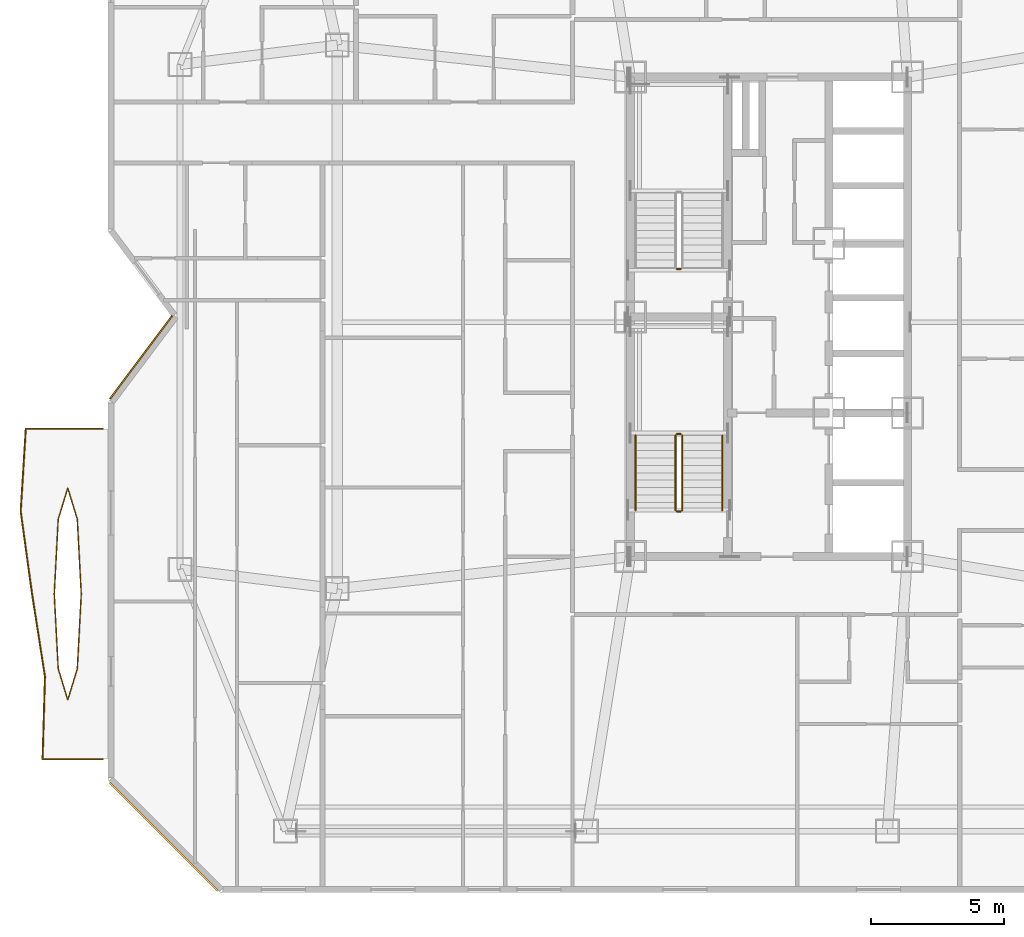
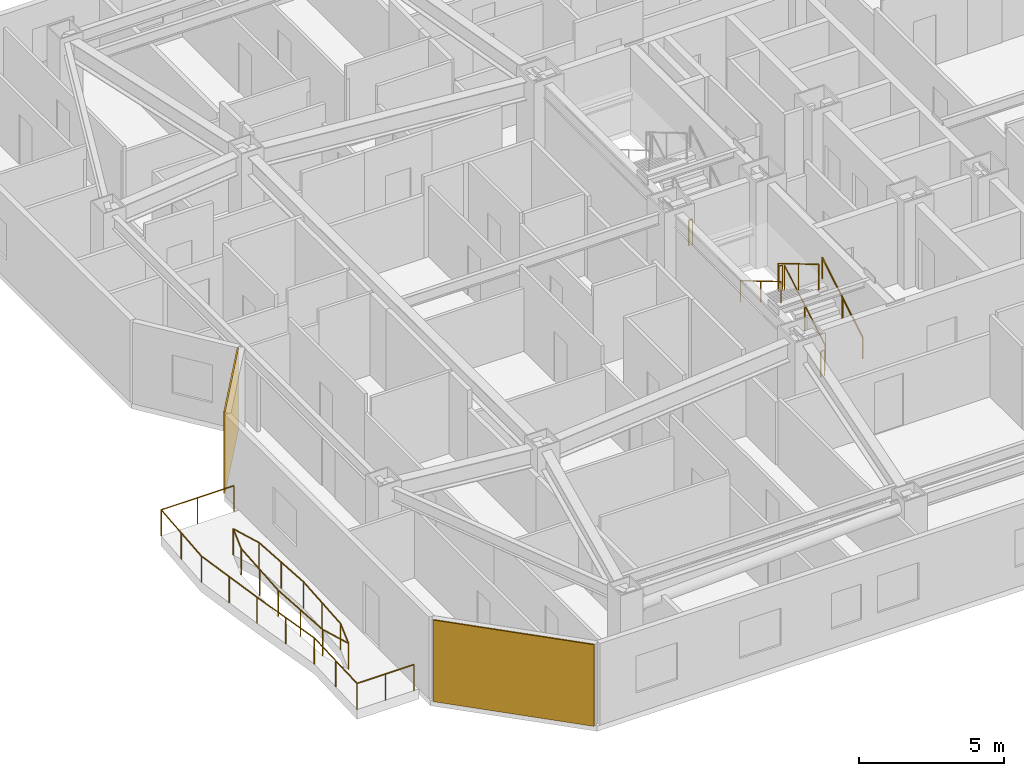
# One storey, part 14 of 16: 11 railings, 2 coverings.
"""IFC4 building model written with IfcOpenShell, lengths in metres."""

from ifc_helpers import new_model, si_unit, direction, frame, origin, origin_2d, place, context, subcontext, project, spatial, rectangle, circle, extrude, material, layer, layer_set, type_object, element, save


model = new_model("IFC4")

# Units and contexts
model_context = context("Model", 3, precision=1e-05, world=origin(), true_north=direction((0.0, 1.0)))
body_context = subcontext(model_context, "Body", "Model", "MODEL_VIEW")
ifc_project = project(units=[si_unit("LENGTHUNIT", "METRE"), si_unit("AREAUNIT", "SQUARE_METRE"), si_unit("VOLUMEUNIT", "CUBIC_METRE"), si_unit("PLANEANGLEUNIT", "RADIAN"), si_unit("MASSUNIT", "GRAM", prefix="KILO")], contexts=[model_context])

# Site, building, storey
site_placement = place(None, origin())
site = spatial("IfcSite", under=ifc_project, at=site_placement, CompositionType="ELEMENT")
building_placement = place(site_placement, origin())
building = spatial("IfcBuilding", under=site, at=building_placement, Name="Khamvora Tower", CompositionType="ELEMENT")
storey_placement = place(building_placement, frame((0.0, 0.0, 134.75)))
storey = spatial("IfcBuildingStorey", under=building, at=storey_placement, Name="L34", CompositionType="ELEMENT", Elevation=134.75)

# Coverings
ifc_material_1 = material(Name="Anodised Bronze Aluminium Spandrel Panel", Category="aluminium")
ifc_layer = layer(ifc_material_1, 0.054931640625)
ifc_layer_set = layer_set([ifc_layer], Name="Anodised Bronze Aluminium Spandrel Panel")
covering_type = type_object("IfcCoveringType", Name="COV-CLD-BRZ", PredefinedType="CLADDING", material=ifc_layer_set)
covering_1_placement = place(storey_placement, frame((11.487060546875, 8.487060546875, 0.0), z_axis=(0.0, 0.0, 1.0), x_axis=(-0.707106781187, 0.707106781187, 0.0)))
element("IfcCovering", 1, at=covering_1_placement, inside=storey, type_object=covering_type, Name="L34 chamfer rainscreen cladding 01.1", PredefinedType="CLADDING", context=body_context, shape_type="SweptSolid", body=[
    extrude(rectangle(XDim=5.7490234375, YDim=0.054931640625, at=origin_2d()), origin(), (0.0, 0.0, 1.0), 3.429931640625),
])
covering_2_placement = place(storey_placement, frame((10.638916015625, 26.48095703125, 0.0), z_axis=(0.0, 0.0, 1.0), x_axis=(0.600000000002, 0.799999999998, 0.0)))
element("IfcCovering", 2, at=covering_2_placement, inside=storey, type_object=covering_type, Name="L34 chamfer rainscreen cladding 03.1", PredefinedType="CLADDING", context=body_context, shape_type="SweptSolid", body=[
    extrude(rectangle(XDim=3.889892578125, YDim=0.054931640625, at=origin_2d()), origin(), (0.0, 0.0, 1.0), 3.429931640625),
])

# Railings
ifc_material_2 = material(Name="Stainless Steel 316 and Laminated Glass", Category="steel")
railing_type_1 = type_object("IfcRailingType", Name="RAL-GAL-1120", PredefinedType="GUARDRAIL", material=ifc_material_2)
railing_1_placement = place(storey_placement, frame((9.199951171875, 11.39990234375, 0.0)))
element("IfcRailing", 3, at=railing_1_placement, inside=storey, type_object=railing_type_1, Name="L34 lens gallery south perimeter guardrail WL1", PredefinedType="GUARDRAIL", context=body_context, shape_type="SweptSolid", body=[
    extrude(circle(Radius=0.02392578125, at=origin_2d()), frame((0.0, 0.0, 1.09619140625), z_axis=(-1.0, 0.0, 0.0), x_axis=(0.0, -1.0, 0.0)), (0.0, 0.0, 1.0), 2.262939453125),
    extrude(circle(Radius=0.02392578125, at=origin_2d()), frame((-2.262939453125, 0.0, 1.09619140625), z_axis=(0.029047432246, 0.999578034312, 0.0), x_axis=(-0.999578034312, 0.029047432246, 0.0)), (0.0, 0.0, 1.0), 3.101318359375),
    extrude(circle(Radius=0.02392578125, at=origin_2d()), frame((-2.1728515625, 3.10009765625, 1.09619140625), z_axis=(-0.154599983709, 0.987977148034, 0.0), x_axis=(-0.987977148034, -0.154599983709, 0.0)), (0.0, 0.0, 1.0), 3.137939453125),
    extrude(circle(Radius=0.02099609375, at=origin_2d()), origin(), (0.0, 0.0, 1.0), 1.072021484375),
    extrude(circle(Radius=0.02099609375, at=origin_2d()), frame((-1.13134765625, 0.0, 0.0)), (0.0, 0.0, 1.0), 1.072021484375),
    extrude(circle(Radius=0.02099609375, at=origin_2d()), frame((-2.262939453125, 0.0, 0.0)), (0.0, 0.0, 1.0), 1.072021484375),
    extrude(circle(Radius=0.02099609375, at=origin_2d()), frame((-2.2177734375, 1.550048828125, 0.0)), (0.0, 0.0, 1.0), 1.072021484375),
    extrude(circle(Radius=0.02099609375, at=origin_2d()), frame((-2.1728515625, 3.10009765625, 0.0)), (0.0, 0.0, 1.0), 1.072021484375),
    extrude(circle(Radius=0.02099609375, at=origin_2d()), frame((-2.41552734375, 4.650146484375, 0.0)), (0.0, 0.0, 1.0), 1.072021484375),
    extrude(circle(Radius=0.02099609375, at=origin_2d()), frame((-2.657958984375, 6.2001953125, 0.0)), (0.0, 0.0, 1.0), 1.072021484375),
])
railing_2_placement = place(storey_placement, frame((6.5419921875, 17.60009765625, 0.0)))
element("IfcRailing", 4, at=railing_2_placement, inside=storey, type_object=railing_type_1, Name="L34 lens gallery north perimeter guardrail WL1", PredefinedType="GUARDRAIL", context=body_context, shape_type="SweptSolid", body=[
    extrude(circle(Radius=0.02392578125, at=origin_2d()), frame((0.0, 0.0, 1.09619140625), z_axis=(-0.136154206504, 0.990687656152, 0.0), x_axis=(-0.990687656152, -0.136154206504, 0.0)), (0.0, 0.0, 1.0), 3.12890625),
    extrude(circle(Radius=0.02392578125, at=origin_2d()), frame((-0.426025390625, 3.099853515625, 1.09619140625), z_axis=(0.061468048386, 0.998109051671, 0.0), x_axis=(-0.998109051671, 0.061468048386, 0.0)), (0.0, 0.0, 1.0), 3.10595703125),
    extrude(circle(Radius=0.02392578125, at=origin_2d()), frame((-0.235107421875, 6.199951171875, 1.09619140625), z_axis=(1.0, 0.0, 0.0), x_axis=(0.0, 1.0, 0.0)), (0.0, 0.0, 1.0), 2.89306640625),
    extrude(circle(Radius=0.02099609375, at=origin_2d()), origin(), (0.0, 0.0, 1.0), 1.072021484375),
    extrude(circle(Radius=0.02099609375, at=origin_2d()), frame((-0.212890625, 1.5498046875, 0.0)), (0.0, 0.0, 1.0), 1.072021484375),
    extrude(circle(Radius=0.02099609375, at=origin_2d()), frame((-0.426025390625, 3.099853515625, 0.0)), (0.0, 0.0, 1.0), 1.072021484375),
    extrude(circle(Radius=0.02099609375, at=origin_2d()), frame((-0.33056640625, 4.64990234375, 0.0)), (0.0, 0.0, 1.0), 1.072021484375),
    extrude(circle(Radius=0.02099609375, at=origin_2d()), frame((-0.235107421875, 6.199951171875, 0.0)), (0.0, 0.0, 1.0), 1.072021484375),
    extrude(circle(Radius=0.02099609375, at=origin_2d()), frame((1.21142578125, 6.199951171875, 0.0)), (0.0, 0.0, 1.0), 1.072021484375),
    extrude(circle(Radius=0.02099609375, at=origin_2d()), frame((2.657958984375, 6.199951171875, 0.0)), (0.0, 0.0, 1.0), 1.072021484375),
])
railing_3_placement = place(storey_placement, frame((8.388916015625, 17.60009765625, 0.0)))
element("IfcRailing", 5, at=railing_3_placement, inside=storey, type_object=railing_type_1, Name="L34 lens gallery void guardrail WL1A", PredefinedType="GUARDRAIL", context=body_context, shape_type="SweptSolid", body=[
    extrude(circle(Radius=0.02392578125, at=origin_2d()), frame((0.0, 0.0, 1.09619140625), z_axis=(-0.052654602562, 0.998612784231, 0.0), x_axis=(-0.998612784231, -0.052654602562, 0.0)), (0.0, 0.0, 1.0), 2.809814453125),
    extrude(circle(Radius=0.02392578125, at=origin_2d()), frame((-0.14794921875, 2.805908203125, 1.09619140625), z_axis=(-0.292871691974, 0.956151751575, 0.0), x_axis=(-0.956151751575, -0.292871691974, 0.0)), (0.0, 0.0, 1.0), 1.21533203125),
    extrude(circle(Radius=0.02392578125, at=origin_2d()), frame((-0.50390625, 3.968017578125, 1.09619140625), z_axis=(-0.292871691974, -0.956151751575, 0.0), x_axis=(0.956151751575, -0.292871691974, 0.0)), (0.0, 0.0, 1.0), 1.21533203125),
    extrude(circle(Radius=0.02392578125, at=origin_2d()), frame((-0.85986328125, 2.805908203125, 1.09619140625), z_axis=(-0.052654602562, -0.998612784231, 0.0), x_axis=(0.998612784231, -0.052654602562, 0.0)), (0.0, 0.0, 1.0), 2.809814453125),
    extrude(circle(Radius=0.02099609375, at=origin_2d()), origin(), (0.0, 0.0, 1.0), 1.072021484375),
    extrude(circle(Radius=0.02099609375, at=origin_2d()), frame((-0.073974609375, 1.40283203125, 0.0)), (0.0, 0.0, 1.0), 1.072021484375),
    extrude(circle(Radius=0.02099609375, at=origin_2d()), frame((-0.14794921875, 2.805908203125, 0.0)), (0.0, 0.0, 1.0), 1.072021484375),
    extrude(circle(Radius=0.02099609375, at=origin_2d()), frame((-0.50390625, 3.968017578125, 0.0)), (0.0, 0.0, 1.0), 1.072021484375),
    extrude(circle(Radius=0.02099609375, at=origin_2d()), frame((-0.85986328125, 2.805908203125, 0.0)), (0.0, 0.0, 1.0), 1.072021484375),
    extrude(circle(Radius=0.02099609375, at=origin_2d()), frame((-0.933837890625, 1.40283203125, 0.0)), (0.0, 0.0, 1.0), 1.072021484375),
    extrude(circle(Radius=0.02099609375, at=origin_2d()), frame((-1.0078125, 0.0, 0.0)), (0.0, 0.0, 1.0), 1.072021484375),
])
railing_4_placement = place(storey_placement, frame((7.381103515625, 17.60009765625, 0.0)))
element("IfcRailing", 6, at=railing_4_placement, inside=storey, type_object=railing_type_1, Name="L34 lens gallery void guardrail WL1B", PredefinedType="GUARDRAIL", context=body_context, shape_type="SweptSolid", body=[
    extrude(circle(Radius=0.02392578125, at=origin_2d()), frame((0.0, 0.0, 1.09619140625), z_axis=(0.05265003421, -0.998613025099, 0.0), x_axis=(0.998613025099, 0.05265003421, 0.0)), (0.0, 0.0, 1.0), 2.81005859375),
    extrude(circle(Radius=0.02392578125, at=origin_2d()), frame((0.14794921875, -2.80615234375, 1.09619140625), z_axis=(0.292927952476, -0.956134517031, 0.0), x_axis=(0.956134517031, 0.292927952476, 0.0)), (0.0, 0.0, 1.0), 1.215087890625),
    extrude(circle(Radius=0.02392578125, at=origin_2d()), frame((0.50390625, -3.968017578125, 1.09619140625), z_axis=(0.292927952476, 0.956134517031, 0.0), x_axis=(-0.956134517031, 0.292927952476, 0.0)), (0.0, 0.0, 1.0), 1.215087890625),
    extrude(circle(Radius=0.02392578125, at=origin_2d()), frame((0.85986328125, -2.80615234375, 1.09619140625), z_axis=(0.05265003421, 0.998613025099, 0.0), x_axis=(-0.998613025099, 0.05265003421, 0.0)), (0.0, 0.0, 1.0), 2.81005859375),
    extrude(circle(Radius=0.02099609375, at=origin_2d()), origin(), (0.0, 0.0, 1.0), 1.072021484375),
    extrude(circle(Radius=0.02099609375, at=origin_2d()), frame((0.073974609375, -1.403076171875, 0.0)), (0.0, 0.0, 1.0), 1.072021484375),
    extrude(circle(Radius=0.02099609375, at=origin_2d()), frame((0.14794921875, -2.80615234375, 0.0)), (0.0, 0.0, 1.0), 1.072021484375),
    extrude(circle(Radius=0.02099609375, at=origin_2d()), frame((0.50390625, -3.968017578125, 0.0)), (0.0, 0.0, 1.0), 1.072021484375),
    extrude(circle(Radius=0.02099609375, at=origin_2d()), frame((0.85986328125, -2.80615234375, 0.0)), (0.0, 0.0, 1.0), 1.072021484375),
    extrude(circle(Radius=0.02099609375, at=origin_2d()), frame((0.933837890625, -1.403076171875, 0.0)), (0.0, 0.0, 1.0), 1.072021484375),
    extrude(circle(Radius=0.02099609375, at=origin_2d()), frame((1.0078125, 0.0, 0.0)), (0.0, 0.0, 1.0), 1.072021484375),
])
ifc_material_3 = material(Name="Brushed Stainless Steel 316", Category="steel")
railing_type_2 = type_object("IfcRailingType", Name="RAL-HDR-920", PredefinedType="HANDRAIL", material=ifc_material_3)
railing_5_placement = place(storey_placement, frame((32.449951171875, 20.75, 0.166015625)))
element("IfcRailing", 7, at=railing_5_placement, inside=storey, type_object=railing_type_2, Name="L34 ST-01 stair handrail 1", PredefinedType="HANDRAIL", context=body_context, shape_type="SweptSolid", body=[
    extrude(circle(Radius=0.02392578125, at=origin_2d()), frame((0.0, 0.0, 0.8759765625), z_axis=(0.0, 0.860339051648, 0.50972219513), x_axis=(-1.0, 0.0, 0.0)), (0.0, 0.0, 1.0), 3.254638671875),
    extrude(circle(Radius=0.02099609375, at=origin_2d()), origin(), (0.0, 0.0, 1.0), 0.851806640625),
    extrude(circle(Radius=0.02099609375, at=origin_2d()), frame((0.0, 1.39990234375, 0.82958984375)), (0.0, 0.0, 1.0), 0.851806640625),
    extrude(circle(Radius=0.02099609375, at=origin_2d()), frame((0.0, 2.800048828125, 1.658935546875)), (0.0, 0.0, 1.0), 0.851806640625),
])
railing_6_placement = place(storey_placement, frame((29.199951171875, 23.550048828125, 1.990966796875)))
element("IfcRailing", 8, at=railing_6_placement, inside=storey, type_object=railing_type_2, Name="L34 ST-01 stair handrail 2", PredefinedType="HANDRAIL", context=body_context, shape_type="SweptSolid", body=[
    extrude(circle(Radius=0.02392578125, at=origin_2d()), frame((0.0, 0.0, 0.8759765625), z_axis=(0.0, -0.860339051648, 0.50972219513), x_axis=(1.0, 0.0, 0.0)), (0.0, 0.0, 1.0), 3.254638671875),
    extrude(circle(Radius=0.02099609375, at=origin_2d()), origin(), (0.0, 0.0, 1.0), 0.851806640625),
    extrude(circle(Radius=0.02099609375, at=origin_2d()), frame((0.0, -1.39990234375, 0.82958984375)), (0.0, 0.0, 1.0), 0.851806640625),
    extrude(circle(Radius=0.02099609375, at=origin_2d()), frame((0.0, -2.800048828125, 1.658935546875)), (0.0, 0.0, 1.0), 0.851806640625),
])
ifc_material_4 = material(Name="Stainless Steel 316", Category="steel")
railing_type_3 = type_object("IfcRailingType", Name="RAL-STG-1100", PredefinedType="GUARDRAIL", material=ifc_material_4)
railing_7_placement = place(storey_placement, frame((30.949951171875, 20.75, 0.166015625)))
element("IfcRailing", 9, at=railing_7_placement, inside=storey, type_object=railing_type_3, Name="L34 ST-01 stair guard 1", PredefinedType="GUARDRAIL", context=body_context, shape_type="SweptSolid", body=[
    extrude(circle(Radius=0.02392578125, at=origin_2d()), frame((0.0, 0.0, 1.076171875), z_axis=(0.0, 0.860339051648, 0.50972219513), x_axis=(-1.0, 0.0, 0.0)), (0.0, 0.0, 1.0), 3.254638671875),
    extrude(circle(Radius=0.02099609375, at=origin_2d()), origin(), (0.0, 0.0, 1.0), 1.052001953125),
    extrude(circle(Radius=0.02099609375, at=origin_2d()), frame((0.0, 1.39990234375, 0.82958984375)), (0.0, 0.0, 1.0), 1.052001953125),
    extrude(circle(Radius=0.02099609375, at=origin_2d()), frame((0.0, 2.800048828125, 1.658935546875)), (0.0, 0.0, 1.0), 1.052001953125),
])
railing_8_placement = place(storey_placement, frame((30.89990234375, 23.60009765625, 1.824951171875)))
element("IfcRailing", 10, at=railing_8_placement, inside=storey, type_object=railing_type_3, Name="L34 ST-01 stair guard 2", PredefinedType="GUARDRAIL", context=body_context, shape_type="SweptSolid", body=[
    extrude(circle(Radius=0.02392578125, at=origin_2d()), frame((0.0, 0.0, 1.076171875), z_axis=(-1.0, 0.0, 0.0), x_axis=(0.0, -1.0, 0.0)), (0.0, 0.0, 1.0), 0.14990234375),
    extrude(circle(Radius=0.02099609375, at=origin_2d()), origin(), (0.0, 0.0, 1.0), 1.052001953125),
    extrude(circle(Radius=0.02099609375, at=origin_2d()), frame((-0.14990234375, 0.0, 0.0)), (0.0, 0.0, 1.0), 1.052001953125),
])
railing_9_placement = place(storey_placement, frame((30.699951171875, 23.550048828125, 1.990966796875)))
element("IfcRailing", 11, at=railing_9_placement, inside=storey, type_object=railing_type_3, Name="L34 ST-01 stair guard 3", PredefinedType="GUARDRAIL", context=body_context, shape_type="SweptSolid", body=[
    extrude(circle(Radius=0.02392578125, at=origin_2d()), frame((0.0, 0.0, 1.076171875), z_axis=(0.0, -0.860339051648, 0.50972219513), x_axis=(1.0, 0.0, 0.0)), (0.0, 0.0, 1.0), 3.254638671875),
    extrude(circle(Radius=0.02099609375, at=origin_2d()), origin(), (0.0, 0.0, 1.0), 1.052001953125),
    extrude(circle(Radius=0.02099609375, at=origin_2d()), frame((0.0, -1.39990234375, 0.82958984375)), (0.0, 0.0, 1.0), 1.052001953125),
    extrude(circle(Radius=0.02099609375, at=origin_2d()), frame((0.0, -2.800048828125, 1.658935546875)), (0.0, 0.0, 1.0), 1.052001953125),
])
for number, where, name in (
    (12, (30.89990234375, 20.699951171875, 0.0), "L34 ST-01 stair guard 4"),
    (13, (30.89990234375, 29.800048828125, 0.0), "L34 ST-02 stair guard 4"),
):
    element("IfcRailing", number, at=place(storey_placement, frame(where)), inside=storey, type_object=railing_type_3, Name=name, PredefinedType="GUARDRAIL", context=body_context, shape_type="SweptSolid", body=[
        extrude(circle(Radius=0.02392578125, at=origin_2d()), frame((0.0, 0.0, 1.076171875), z_axis=(-1.0, 0.0, 0.0), x_axis=(0.0, -1.0, 0.0)), (0.0, 0.0, 1.0), 0.14990234375),
        extrude(circle(Radius=0.02099609375, at=origin_2d()), origin(), (0.0, 0.0, 1.0), 1.052001953125),
        extrude(circle(Radius=0.02099609375, at=origin_2d()), frame((-0.14990234375, 0.0, 0.0)), (0.0, 0.0, 1.0), 1.052001953125),
    ])

save(model, "model.ifc")
